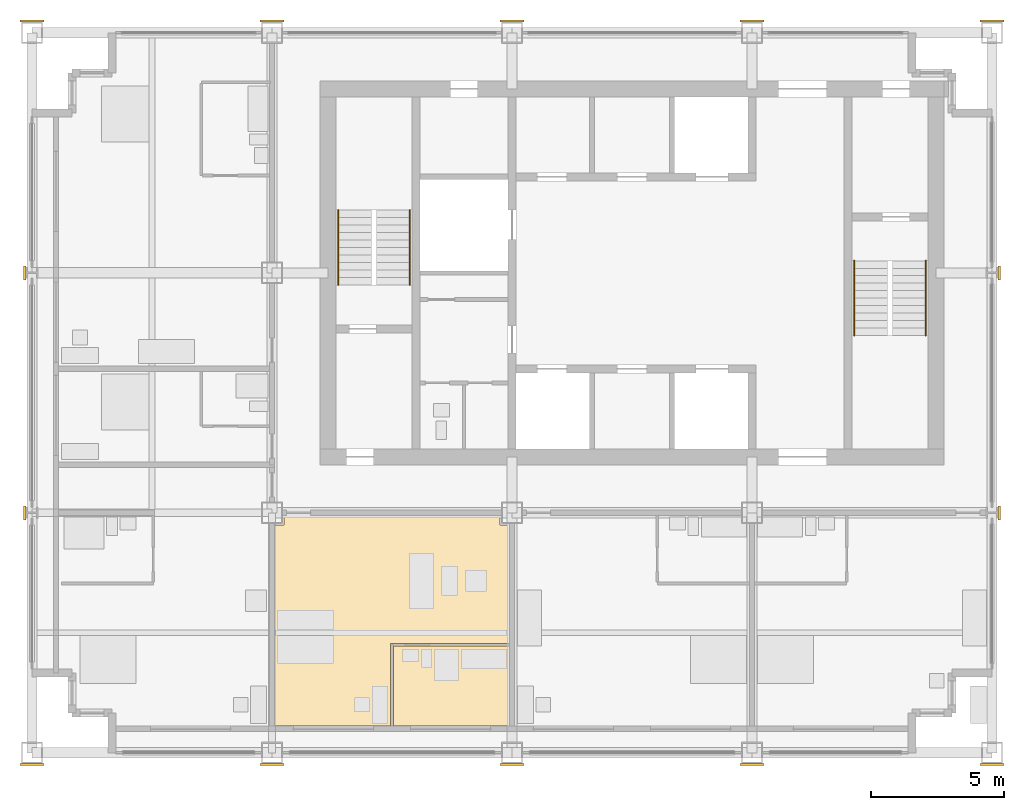
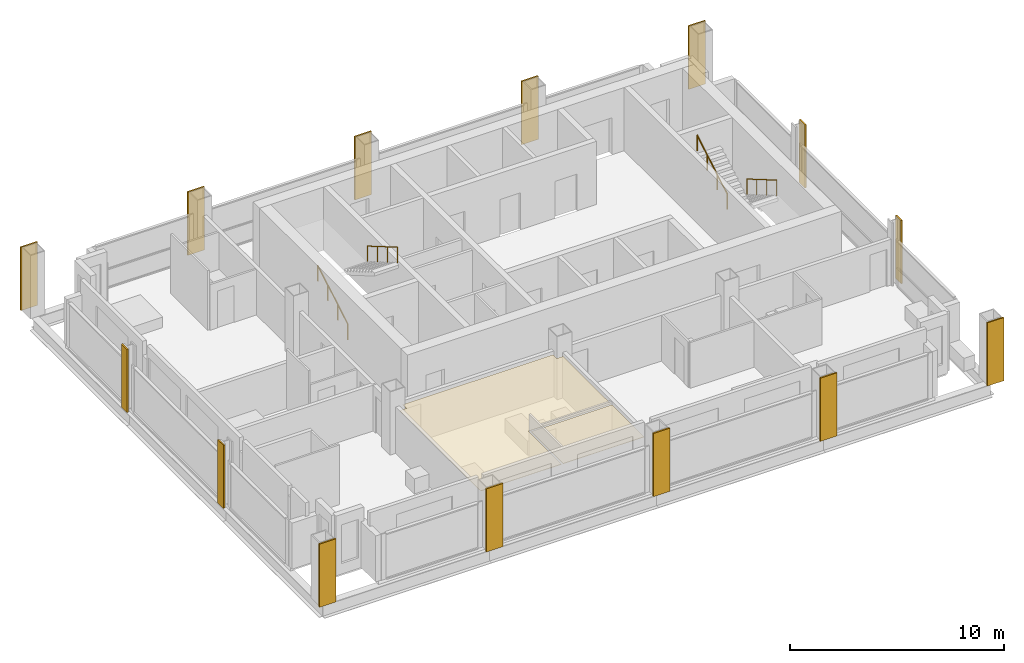
# One storey, part 9 of 11: 16 coverings, 4 railings.
"""IFC4 building model written with IfcOpenShell, lengths in metres."""

from ifc_helpers import new_model, si_unit, direction, frame, origin, origin_2d, place, context, subcontext, project, spatial, polyline, rectangle, circle, outline, extrude, material, layer, layer_set, type_object, element, save


model = new_model("IFC4")

# Units and contexts
model_context = context("Model", 3, precision=1e-05, world=origin(), true_north=direction((0.0, 1.0)))
body_context = subcontext(model_context, "Body", "Model", "MODEL_VIEW")
ifc_project = project(units=[si_unit("LENGTHUNIT", "METRE"), si_unit("AREAUNIT", "SQUARE_METRE"), si_unit("VOLUMEUNIT", "CUBIC_METRE"), si_unit("PLANEANGLEUNIT", "RADIAN"), si_unit("MASSUNIT", "GRAM", prefix="KILO")], contexts=[model_context])

# Site, building, storey
site_placement = place(None, origin())
site = spatial("IfcSite", under=ifc_project, at=site_placement, CompositionType="ELEMENT")
building_placement = place(site_placement, origin())
building = spatial("IfcBuilding", under=site, at=building_placement, Name="Loomwork Tower", CompositionType="ELEMENT")
storey_placement = place(building_placement, frame((0.0, 0.0, 244.60009765625)))
storey = spatial("IfcBuildingStorey", under=building, at=storey_placement, Name="L67", CompositionType="ELEMENT", Elevation=244.60009765625)

# Railings
ifc_material_1 = material(Name="Stainless steel handrail", Category="steel")
railing_type = type_object("IfcRailingType", Name="Handrail 900", PredefinedType="HANDRAIL", material=ifc_material_1)
railing_1_placement = place(storey_placement, frame((11.485107421875, 17.550048828125, 0.16357421875)))
element("IfcRailing", 1, at=railing_1_placement, inside=storey, type_object=railing_type, Name="Stair A handrail flight 1 L67", PredefinedType="HANDRAIL", context=body_context, shape_type="SweptSolid", body=[
    extrude(circle(Radius=0.02392578125, at=origin_2d()), frame((0.0, 0.0, 0.8759765625), z_axis=(0.0, 0.863393664356, 0.504530851732), x_axis=(-1.0, 0.0, 0.0)), (0.0, 0.0, 1.0), 3.2431640625),
    extrude(circle(Radius=0.02099609375, at=origin_2d()), origin(), (0.0, 0.0, 1.0), 0.851806640625),
    extrude(circle(Radius=0.02099609375, at=origin_2d()), frame((0.0, 0.933349609375, 0.54541015625)), (0.0, 0.0, 1.0), 0.851806640625),
    extrude(circle(Radius=0.02099609375, at=origin_2d()), frame((0.0, 1.86669921875, 1.0908203125)), (0.0, 0.0, 1.0), 0.851806640625),
    extrude(circle(Radius=0.02099609375, at=origin_2d()), frame((0.0, 2.800048828125, 1.63623046875)), (0.0, 0.0, 1.0), 0.851806640625),
])
for number, where, name in (
    (2, (14.1650390625, 20.35009765625, 1.963623046875), "Stair A handrail flight 2 L67"),
    (3, (33.514892578125, 18.449951171875, 0.16357421875), "Stair B handrail flight 1 L67"),
):
    element("IfcRailing", number, at=place(storey_placement, frame(where)), inside=storey, type_object=railing_type, Name=name, PredefinedType="HANDRAIL", context=body_context, shape_type="SweptSolid", body=[
        extrude(circle(Radius=0.02392578125, at=origin_2d()), frame((0.0, 0.0, 0.8759765625), z_axis=(0.0, -0.863393664356, 0.504530851732), x_axis=(1.0, 0.0, 0.0)), (0.0, 0.0, 1.0), 3.2431640625),
        extrude(circle(Radius=0.02099609375, at=origin_2d()), origin(), (0.0, 0.0, 1.0), 0.851806640625),
        extrude(circle(Radius=0.02099609375, at=origin_2d()), frame((0.0, -0.933349609375, 0.54541015625)), (0.0, 0.0, 1.0), 0.851806640625),
        extrude(circle(Radius=0.02099609375, at=origin_2d()), frame((0.0, -1.86669921875, 1.0908203125)), (0.0, 0.0, 1.0), 0.851806640625),
        extrude(circle(Radius=0.02099609375, at=origin_2d()), frame((0.0, -2.800048828125, 1.63623046875)), (0.0, 0.0, 1.0), 0.851806640625),
    ])
railing_2_placement = place(storey_placement, frame((30.8349609375, 15.64990234375, 1.963623046875)))
element("IfcRailing", 4, at=railing_2_placement, inside=storey, type_object=railing_type, Name="Stair B handrail flight 2 L67", PredefinedType="HANDRAIL", context=body_context, shape_type="SweptSolid", body=[
    extrude(circle(Radius=0.02392578125, at=origin_2d()), frame((0.0, 0.0, 0.8759765625), z_axis=(0.0, 0.863393664356, 0.504530851732), x_axis=(-1.0, 0.0, 0.0)), (0.0, 0.0, 1.0), 3.2431640625),
    extrude(circle(Radius=0.02099609375, at=origin_2d()), origin(), (0.0, 0.0, 1.0), 0.851806640625),
    extrude(circle(Radius=0.02099609375, at=origin_2d()), frame((0.0, 0.933349609375, 0.54541015625)), (0.0, 0.0, 1.0), 0.851806640625),
    extrude(circle(Radius=0.02099609375, at=origin_2d()), frame((0.0, 1.86669921875, 1.0908203125)), (0.0, 0.0, 1.0), 0.851806640625),
    extrude(circle(Radius=0.02099609375, at=origin_2d()), frame((0.0, 2.800048828125, 1.63623046875)), (0.0, 0.0, 1.0), 0.851806640625),
])

# Coverings
ifc_material_2 = material(Name="Limestone", Category="masonry")
ifc_layer_1 = layer(ifc_material_2, 0.080078125)
ifc_layer_set_1 = layer_set([ifc_layer_1], Name="Limestone pier facing 80")
covering_type_1 = type_object("IfcCoveringType", Name="Limestone pier facing 80", PredefinedType="CLADDING", material=ifc_layer_set_1)
covering_1_placement = place(storey_placement, frame((0.0, -0.43994140625, -0.000244140625), z_axis=(0.0, 0.0, 1.0), x_axis=(1.0, 0.0, 0.0)))
element("IfcCovering", 5, at=covering_1_placement, inside=storey, type_object=covering_type_1, Name="Pier facing D/2 L67", PredefinedType="CLADDING", context=body_context, shape_type="SweptSolid", body=[
    extrude(rectangle(XDim=0.89990234375, YDim=0.080078125, at=origin_2d()), origin(), (0.0, 0.0, 1.0), 3.60009765625),
])
for number, where, z_axis, x_axis, name in (
    (6, (-0.2724609375, 9.0, -0.000244140625), (0.0, 0.0, 1.0), (1.0, 0.0, 0.0), "Pier facing E/2 L67"),
    (7, (-0.2724609375, 18.0, -0.000244140625), (0.0, 0.0, 1.0), (1.0, 0.0, 0.0), "Pier facing F/2 L67"),
):
    element("IfcCovering", number, at=place(storey_placement, frame(where, z_axis=z_axis, x_axis=x_axis)), inside=storey, type_object=covering_type_1, Name=name, PredefinedType="CLADDING", context=body_context, shape_type="SweptSolid", body=[
        extrude(rectangle(XDim=0.080078125, YDim=0.521484375, at=origin_2d()), origin(), (0.0, 0.0, 1.0), 3.60009765625),
    ])
for number, where, z_axis, x_axis, name in (
    (8, (0.0, 27.43994140625, -0.000244140625), (0.0, 0.0, 1.0), (1.0, 0.0, 0.0), "Pier facing G/2 L67"),
    (9, (9.0, -0.43994140625, -0.000244140625), (0.0, 0.0, 1.0), (1.0, 0.0, 0.0), "Pier facing D/3 L67"),
    (10, (9.0, 27.43994140625, -0.000244140625), (0.0, 0.0, 1.0), (1.0, 0.0, 0.0), "Pier facing G/3 L67"),
    (11, (18.0, -0.43994140625, -0.000244140625), (0.0, 0.0, 1.0), (1.0, 0.0, 0.0), "Pier facing D/4 L67"),
    (12, (18.0, 27.43994140625, -0.000244140625), (0.0, 0.0, 1.0), (1.0, 0.0, 0.0), "Pier facing G/4 L67"),
    (13, (27.0, -0.43994140625, -0.000244140625), (0.0, 0.0, 1.0), (1.0, 0.0, 0.0), "Pier facing D/5 L67"),
    (14, (27.0, 27.43994140625, -0.000244140625), (0.0, 0.0, 1.0), (1.0, 0.0, 0.0), "Pier facing G/5 L67"),
    (15, (36.0, -0.43994140625, -0.000244140625), (0.0, 0.0, 1.0), (1.0, 0.0, 0.0), "Pier facing D/6 L67"),
):
    element("IfcCovering", number, at=place(storey_placement, frame(where, z_axis=z_axis, x_axis=x_axis)), inside=storey, type_object=covering_type_1, Name=name, PredefinedType="CLADDING", context=body_context, shape_type="SweptSolid", body=[
        extrude(rectangle(XDim=0.89990234375, YDim=0.080078125, at=origin_2d()), origin(), (0.0, 0.0, 1.0), 3.60009765625),
    ])
for number, where, z_axis, x_axis, name in (
    (16, (36.2724609375, 9.0, -0.000244140625), (0.0, 0.0, 1.0), (1.0, 0.0, 0.0), "Pier facing E/6 L67"),
    (17, (36.2724609375, 18.0, -0.000244140625), (0.0, 0.0, 1.0), (1.0, 0.0, 0.0), "Pier facing F/6 L67"),
):
    element("IfcCovering", number, at=place(storey_placement, frame(where, z_axis=z_axis, x_axis=x_axis)), inside=storey, type_object=covering_type_1, Name=name, PredefinedType="CLADDING", context=body_context, shape_type="SweptSolid", body=[
        extrude(rectangle(XDim=0.080078125, YDim=0.521484375, at=origin_2d()), origin(), (0.0, 0.0, 1.0), 3.60009765625),
    ])
covering_2_placement = place(storey_placement, frame((36.0, 27.43994140625, -0.000244140625), z_axis=(0.0, 0.0, 1.0), x_axis=(1.0, 0.0, 0.0)))
element("IfcCovering", 18, at=covering_2_placement, inside=storey, type_object=covering_type_1, Name="Pier facing G/6 L67", PredefinedType="CLADDING", context=body_context, shape_type="SweptSolid", body=[
    extrude(rectangle(XDim=0.89990234375, YDim=0.080078125, at=origin_2d()), origin(), (0.0, 0.0, 1.0), 3.60009765625),
])
ifc_material_3 = material(Name="Mineral fibre acoustic tile on suspension grid")
ifc_layer_2 = layer(ifc_material_3, 0.02490234375)
ifc_layer_set_2 = layer_set([ifc_layer_2], Name="Suspended acoustic ceiling")
covering_type_2 = type_object("IfcCoveringType", Name="Suspended acoustic ceiling", PredefinedType="CEILING", material=ifc_layer_set_2)
covering_3_placement = place(storey_placement, frame((0.0, 0.0, 2.375)))
element("IfcCovering", 19, at=covering_3_placement, inside=storey, type_object=covering_type_2, Name="Ceiling Spa bathroom L67", PredefinedType="CEILING", context=body_context, shape_type="SweptSolid", body=[
    extrude(outline(polyline([(17.89990234375, 4.0), (17.89990234375, 1.0), (13.550048828125, 1.0), (13.550048828125, 4.0), (17.89990234375, 4.0)])), origin(), (0.0, 0.0, 1.0), 0.02490234375),
])
covering_4_placement = place(storey_placement, frame((0.0, 0.0, 2.375)))
element("IfcCovering", 20, at=covering_4_placement, inside=storey, type_object=covering_type_2, Name="Ceiling Spa suite L67", PredefinedType="CEILING", context=body_context, shape_type="SweptSolid", body=[
    extrude(outline(polyline([(17.550048828125, 8.89990234375), (17.550048828125, 8.550048828125), (17.89990234375, 8.550048828125), (17.89990234375, 4.10009765625), (13.449951171875, 4.10009765625), (13.449951171875, 1.0), (9.10009765625, 1.0), (9.10009765625, 8.550048828125), (9.449951171875, 8.550048828125), (9.449951171875, 8.89990234375), (17.550048828125, 8.89990234375)])), origin(), (0.0, 0.0, 1.0), 0.02490234375),
])

save(model, "model.ifc")
